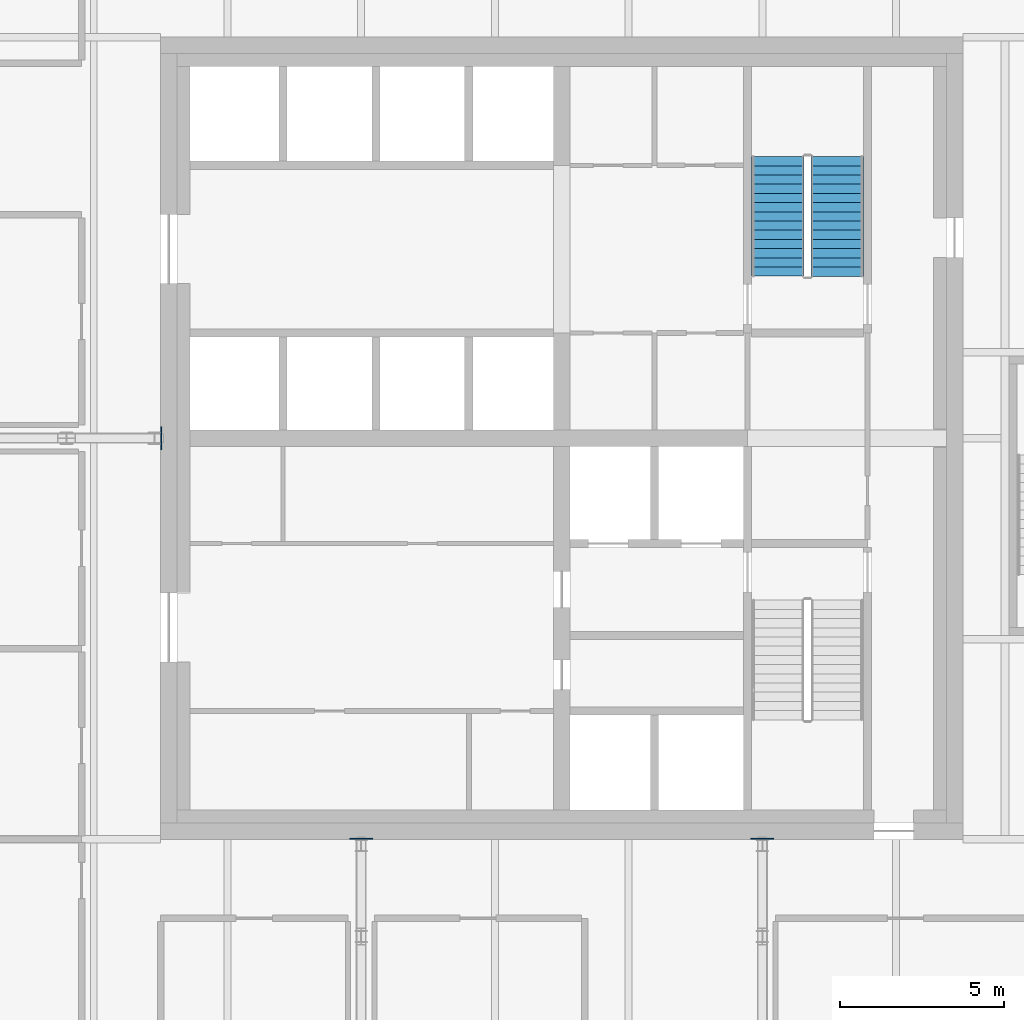
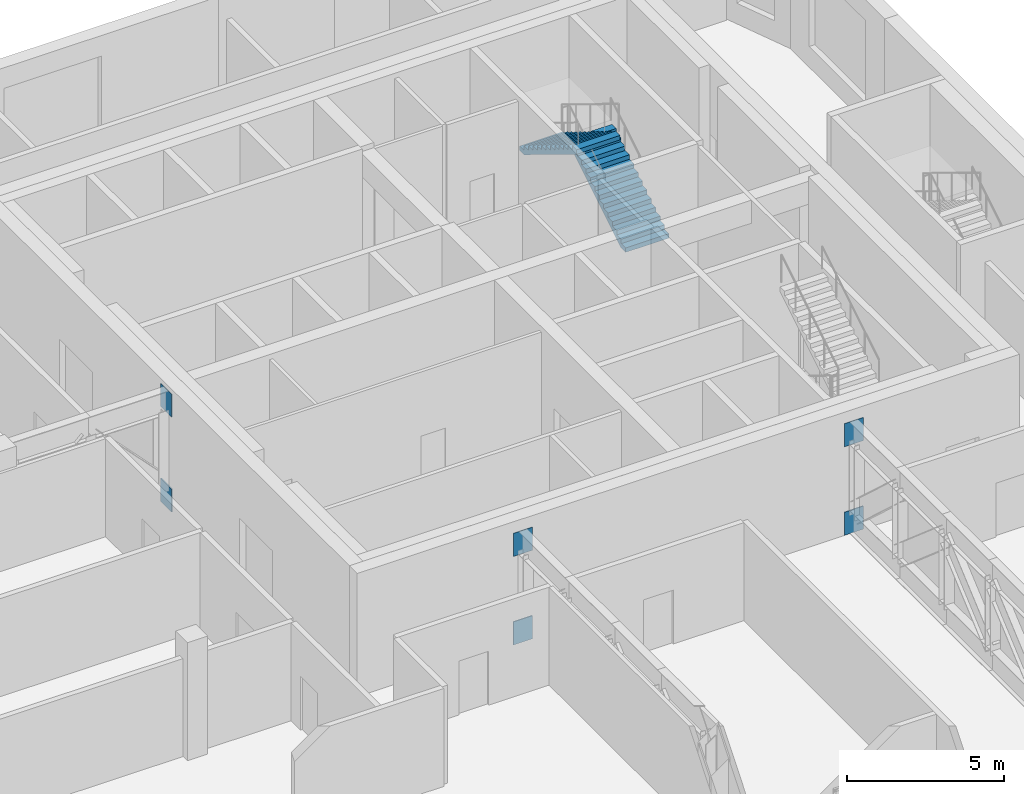
# One storey, part 11 of 12: 6 discrete accessories, 2 stair flights, 1 element without a shape of its own.
"""IFC4 building model written with IfcOpenShell, lengths in metres."""

from ifc_helpers import new_model, si_unit, direction, frame, origin, origin_2d, place, context, subcontext, project, spatial, polyline, rectangle, outline, extrude, material, layer, layer_set, type_object, element, aggregate, save


model = new_model("IFC4")

# Units and contexts
model_context = context("Model", 3, precision=1e-05, world=origin(), true_north=direction((0.0, 1.0)))
body_context = subcontext(model_context, "Body", "Model", "MODEL_VIEW")
ifc_project = project(units=[si_unit("LENGTHUNIT", "METRE"), si_unit("AREAUNIT", "SQUARE_METRE"), si_unit("VOLUMEUNIT", "CUBIC_METRE"), si_unit("PLANEANGLEUNIT", "RADIAN"), si_unit("MASSUNIT", "GRAM", prefix="KILO")], contexts=[model_context])

# Site, building, storey
site_placement = place(None, origin())
site = spatial("IfcSite", under=ifc_project, at=site_placement, CompositionType="ELEMENT")
building_placement = place(site_placement, origin())
building = spatial("IfcBuilding", under=site, at=building_placement, Name="Tessera Gate Towers", CompositionType="ELEMENT")
storey_placement = place(building_placement, frame((0.0, 0.0, 232.10009765625)))
storey = spatial("IfcBuildingStorey", under=building, at=storey_placement, Name="L58", CompositionType="ELEMENT", Elevation=232.10009765625)

# Stair, stair flights
ifc_material_1 = material(Name="Concrete C40/50", Category="concrete")
stair_type = type_object("IfcStairType", Name="EXIT STAIR ST2A 1600", PredefinedType="HALF_TURN_STAIR", material=ifc_material_1)
stair_placement = place(storey_placement, origin())
stair = element("IfcStair", 1, at=stair_placement, inside=storey, type_object=stair_type, Name="L58 Protected Exit Stair ST2", PredefinedType="HALF_TURN_STAIR")
ifc_material_2 = material(Name="Concrete C40/50", Category="concrete")
stair_flight_type = type_object("IfcStairFlightType", Name="EXIT STAIR FLIGHT ST2A 1600", PredefinedType="STRAIGHT", material=ifc_material_2)
stair_flight_1_placement = place(storey_placement, frame((51.074951171875, 41.52490234375, 0.0), z_axis=(0.0, 0.0, 1.0), x_axis=(0.0, 1.0, 0.0)))
stair_flight_1 = element("IfcStairFlight", 2, at=stair_flight_1_placement, type_object=stair_flight_type, Name="ST2 flight 1", NumberOfRisers=14, NumberOfTreads=13, PredefinedType="STRAIGHT", RiserHeight=0.171428571, TreadLength=0.28, context=body_context, shape_type="SweptSolid", body=[
    extrude(outline(polyline([(0.0, 0.0), (0.0, 0.17138671875), (0.280029296875, 0.17138671875), (0.280029296875, 0.3427734375), (0.56005859375, 0.3427734375), (0.56005859375, 0.514404296875), (0.840087890625, 0.514404296875), (0.840087890625, 0.685791015625), (1.1201171875, 0.685791015625), (1.1201171875, 0.857177734375), (1.39990234375, 0.857177734375), (1.39990234375, 1.028564453125), (1.679931640625, 1.028564453125), (1.679931640625, 1.199951171875), (1.9599609375, 1.199951171875), (1.9599609375, 1.371337890625), (2.239990234375, 1.371337890625), (2.239990234375, 1.54296875), (2.52001953125, 1.54296875), (2.52001953125, 1.71435546875), (2.800048828125, 1.71435546875), (2.800048828125, 1.8857421875), (3.080078125, 1.8857421875), (3.080078125, 2.05712890625), (3.360107421875, 2.05712890625), (3.360107421875, 2.228515625), (3.639892578125, 2.228515625), (3.639892578125, 2.39990234375), (3.639892578125, 2.052734375), (0.287109375, 0.0), (0.0, 0.0)])), frame((0.0, 0.800048828125, 0.0), z_axis=(0.0, -1.0, 0.0), x_axis=(1.0, 0.0, 0.0)), (0.0, 0.0, 1.0), 1.60009765625),
])
stair_flight_2_placement = place(storey_placement, frame((49.27490234375, 45.1650390625, 2.39990234375), z_axis=(0.0, 0.0, 1.0), x_axis=(0.0, -1.0, 0.0)))
stair_flight_2 = element("IfcStairFlight", 3, at=stair_flight_2_placement, type_object=stair_flight_type, Name="ST2 flight 2", NumberOfRisers=14, NumberOfTreads=13, PredefinedType="STRAIGHT", RiserHeight=0.171428571, TreadLength=0.28, context=body_context, shape_type="SweptSolid", body=[
    extrude(outline(polyline([(0.0, 0.0), (0.0, 0.17138671875), (0.280029296875, 0.17138671875), (0.280029296875, 0.3427734375), (0.56005859375, 0.3427734375), (0.56005859375, 0.514404296875), (0.840087890625, 0.514404296875), (0.840087890625, 0.685791015625), (1.1201171875, 0.685791015625), (1.1201171875, 0.857177734375), (1.39990234375, 0.857177734375), (1.39990234375, 1.028564453125), (1.679931640625, 1.028564453125), (1.679931640625, 1.199951171875), (1.9599609375, 1.199951171875), (1.9599609375, 1.371337890625), (2.239990234375, 1.371337890625), (2.239990234375, 1.54296875), (2.52001953125, 1.54296875), (2.52001953125, 1.71435546875), (2.800048828125, 1.71435546875), (2.800048828125, 1.8857421875), (3.080078125, 1.8857421875), (3.080078125, 2.05712890625), (3.360107421875, 2.05712890625), (3.360107421875, 2.228515625), (3.639892578125, 2.228515625), (3.639892578125, 2.39990234375), (3.639892578125, 2.052734375), (0.287109375, 0.0), (0.0, 0.0)])), frame((0.0, 0.800048828125, 0.0), z_axis=(0.0, -1.0, 0.0), x_axis=(1.0, 0.0, 0.0)), (0.0, 0.0, 1.0), 1.60009765625),
])
aggregate(stair, [stair_flight_1, stair_flight_2])

# Discrete accessories
ifc_material_3 = material(Name="Steel 350W", Category="steel")
ifc_layer = layer(ifc_material_3, 0.031982421875)
ifc_layer_set = layer_set([ifc_layer], Name="CAST-IN PLATE W920x201 CHORD NODE")
discrete_accessory_type = type_object("IfcDiscreteAccessoryType", Name="CAST-IN PLATE W920x201 CHORD NODE", PredefinedType="ANCHORPLATE", material=ifc_layer_set)
for number, where, z_axis, x_axis, name in (
    (4, (30.51611328125, 36.60009765625, 3.69677734375), (0.0, 0.0, 1.0), (1.0, 0.0, 0.0), "Cast-in plate CP2 Outrigger truss T1 L58 W1a top node"),
    (5, (30.51611328125, 36.60009765625, 0.0), (0.0, 0.0, 1.0), (1.0, 0.0, 0.0), "Cast-in plate CP2 Outrigger truss T1 L58 W1a bottom node"),
):
    element("IfcDiscreteAccessory", number, at=place(storey_placement, frame(where, z_axis=z_axis, x_axis=x_axis)), inside=storey, type_object=discrete_accessory_type, Name=name, PredefinedType="ANCHORPLATE", context=body_context, shape_type="SweptSolid", body=[
        extrude(rectangle(XDim=0.031982421875, YDim=0.699951171875, at=origin_2d()), origin(), (0.0, 0.0, 1.0), 0.903076171875),
    ])
for number, where, z_axis, x_axis, name in (
    (6, (36.60009765625, 24.416015625, 3.44677734375), (0.0, 0.0, 1.0), (1.0, 0.0, 0.0), "Cast-in plate CP2 Outrigger truss T1 L58 S1a top node"),
    (7, (36.60009765625, 24.416015625, 0.0), (0.0, 0.0, 1.0), (1.0, 0.0, 0.0), "Cast-in plate CP2 Outrigger truss T1 L58 S1a bottom node"),
    (8, (48.800048828125, 24.416015625, 3.44677734375), (0.0, 0.0, 1.0), (1.0, 0.0, 0.0), "Cast-in plate CP2 Outrigger truss T1 L58 S2a top node"),
    (9, (48.800048828125, 24.416015625, 0.0), (0.0, 0.0, 1.0), (1.0, 0.0, 0.0), "Cast-in plate CP2 Outrigger truss T1 L58 S2a bottom node"),
):
    element("IfcDiscreteAccessory", number, at=place(storey_placement, frame(where, z_axis=z_axis, x_axis=x_axis)), inside=storey, type_object=discrete_accessory_type, Name=name, PredefinedType="ANCHORPLATE", context=body_context, shape_type="SweptSolid", body=[
        extrude(rectangle(XDim=0.699951171875, YDim=0.031982421875, at=origin_2d()), origin(), (0.0, 0.0, 1.0), 0.903076171875),
    ])

save(model, "model.ifc")
